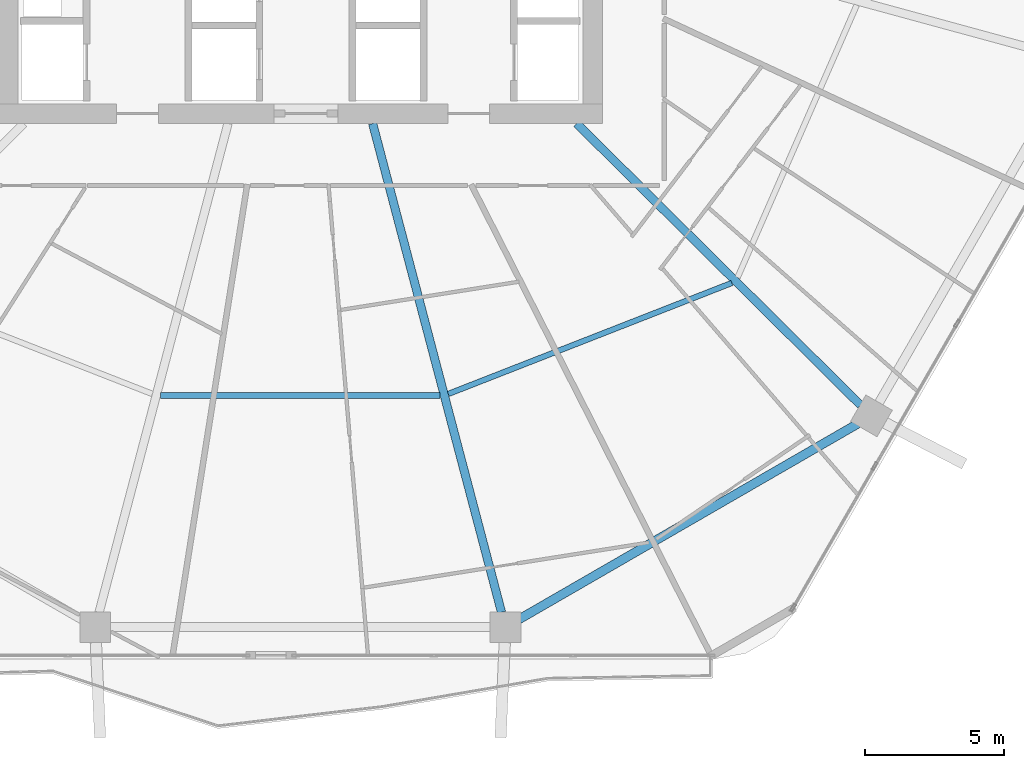
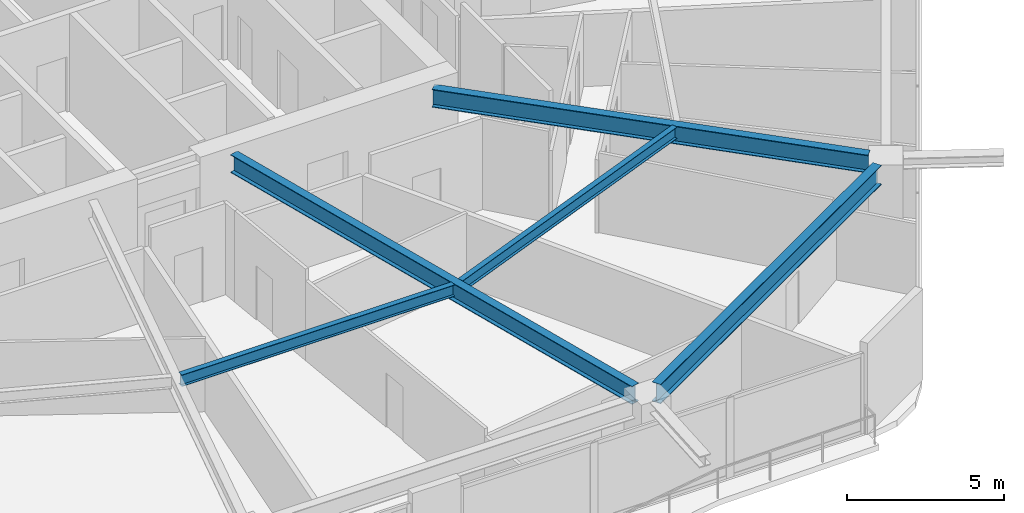
# One storey, part 8 of 33: 5 beams.
"""IFC4 building model written with IfcOpenShell, lengths in metres."""

from ifc_helpers import new_model, si_unit, direction, frame, origin, origin_2d, place, context, subcontext, project, spatial, i_section, extrude, material, material_profile, profile_set, type_object, element, save


model = new_model("IFC4")

# Units and contexts
model_context = context("Model", 3, precision=1e-05, world=origin(), true_north=direction((0.0, 1.0)))
body_context = subcontext(model_context, "Body", "Model", "MODEL_VIEW")
ifc_project = project(units=[si_unit("LENGTHUNIT", "METRE"), si_unit("AREAUNIT", "SQUARE_METRE"), si_unit("VOLUMEUNIT", "CUBIC_METRE"), si_unit("PLANEANGLEUNIT", "RADIAN"), si_unit("MASSUNIT", "GRAM", prefix="KILO")], contexts=[model_context])

# Site, building, storey
site_placement = place(None, origin())
site = spatial("IfcSite", under=ifc_project, at=site_placement, CompositionType="ELEMENT")
building_placement = place(site_placement, origin())
building = spatial("IfcBuilding", under=site, at=building_placement, Name="Zuhravey Tower", CompositionType="ELEMENT")
storey_placement = place(building_placement, frame((0.0, 0.0, 126.60009765625)))
storey = spatial("IfcBuildingStorey", under=building, at=storey_placement, Name="L31", CompositionType="ELEMENT", Elevation=126.60009765625)

# Beams
ifc_material = material(Name="Steel SM355", Category="steel")
ifc_material_profile_1 = material_profile(ifc_material, i_section(OverallWidth=0.320068359375, OverallDepth=0.75, WebThickness=0.013916015625, FlangeThickness=0.02490234375, at=origin_2d()), Name="H-750x320x14x25")
ifc_profile_set_1 = profile_set([ifc_material_profile_1], Name="Steel SM355")
beam_type_1 = type_object("IfcBeamType", Name="Perimeter Ring Beam H750x320", PredefinedType="BEAM", material=ifc_profile_set_1)
beam_1_placement = place(storey_placement, frame((43.848876953125, 4.327880859375, 3.1748046875), z_axis=(0.866017786538, 0.500013193225, 0.0), x_axis=(-0.500013193225, 0.866017786538, 0.0)))
element("IfcBeam", 1, at=beam_1_placement, inside=storey, type_object=beam_type_1, Name="L31 PB1 BM-L31-PB-10", PredefinedType="BEAM", context=body_context, shape_type="SweptSolid", body=[
    extrude(i_section(OverallWidth=0.320068359375, OverallDepth=0.75, WebThickness=0.013916015625, FlangeThickness=0.02490234375, at=origin_2d()), origin(), (0.0, 0.0, 1.0), 14.0771484375),
])
ifc_material_profile_2 = material_profile(ifc_material, i_section(OverallWidth=0.300048828125, OverallDepth=0.699951171875, WebThickness=0.012939453125, FlangeThickness=0.02392578125, at=origin_2d()), Name="H-700x300x13x24")
ifc_profile_set_2 = profile_set([ifc_material_profile_2], Name="Steel SM355")
beam_type_2 = type_object("IfcBeamType", Name="Radial Primary Girder H700x300", PredefinedType="BEAM", material=ifc_profile_set_2)
beam_2_placement = place(storey_placement, frame((38.59814453125, 22.14697265625, 3.199951171875), z_axis=(0.25498755891, -0.966944333869, 0.0), x_axis=(0.966944333869, 0.25498755891, 0.0)))
element("IfcBeam", 2, at=beam_2_placement, inside=storey, type_object=beam_type_2, Name="L31 RG1 BM-L31-RAD-10", PredefinedType="BEAM", context=body_context, shape_type="SweptSolid", body=[
    extrude(i_section(OverallWidth=0.300048828125, OverallDepth=0.699951171875, WebThickness=0.012939453125, FlangeThickness=0.02392578125, at=origin_2d()), origin(), (0.0, 0.0, 1.0), 18.1611328125),
])
beam_3_placement = place(storey_placement, frame((45.931396484375, 22.14697265625, 3.199951171875), z_axis=(0.709906230344, -0.704296204816, 0.0), x_axis=(0.704296204816, 0.709906230344, 0.0)))
element("IfcBeam", 3, at=beam_3_placement, inside=storey, type_object=beam_type_2, Name="L31 RG1 BM-L31-RAD-11", PredefinedType="BEAM", context=body_context, shape_type="SweptSolid", body=[
    extrude(i_section(OverallWidth=0.300048828125, OverallDepth=0.699951171875, WebThickness=0.012939453125, FlangeThickness=0.02392578125, at=origin_2d()), origin(), (0.0, 0.0, 1.0), 14.361083984375),
])
ifc_material_profile_3 = material_profile(ifc_material, i_section(OverallWidth=0.199951171875, OverallDepth=0.449951171875, WebThickness=0.009033203125, FlangeThickness=0.013916015625, at=origin_2d()), Name="H-450x200x9x14")
ifc_profile_set_3 = profile_set([ifc_material_profile_3], Name="Steel SM355")
beam_type_3 = type_object("IfcBeamType", Name="Secondary Floor Joist H450x200", PredefinedType="JOIST", material=ifc_profile_set_3)
beam_4_placement = place(storey_placement, frame((30.97900390625, 12.37548828125, 3.324951171875), z_axis=(1.0, 0.0, 0.0), x_axis=(0.0, 1.0, 0.0)))
element("IfcBeam", 4, at=beam_4_placement, inside=storey, type_object=beam_type_3, Name="L31 SJ1 BM-L31-SJ-09-1", PredefinedType="JOIST", context=body_context, shape_type="SweptSolid", body=[
    extrude(i_section(OverallWidth=0.199951171875, OverallDepth=0.449951171875, WebThickness=0.009033203125, FlangeThickness=0.013916015625, at=origin_2d()), origin(), (0.0, 0.0, 1.0), 10.0419921875),
])
beam_5_placement = place(storey_placement, frame((41.318359375, 12.431640625, 3.324951171875), z_axis=(0.931216764731, 0.364465824302, 0.0), x_axis=(-0.364465824302, 0.931216764731, 0.0)))
element("IfcBeam", 5, at=beam_5_placement, inside=storey, type_object=beam_type_3, Name="L31 SJ1 BM-L31-SJ-10-1", PredefinedType="JOIST", context=body_context, shape_type="SweptSolid", body=[
    extrude(i_section(OverallWidth=0.199951171875, OverallDepth=0.449951171875, WebThickness=0.009033203125, FlangeThickness=0.013916015625, at=origin_2d()), origin(), (0.0, 0.0, 1.0), 10.939453125),
])

save(model, "model.ifc")
